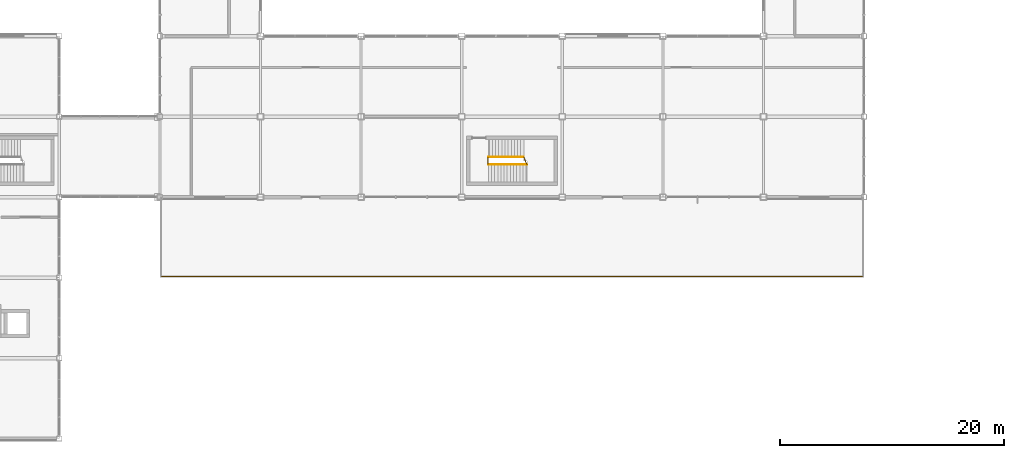
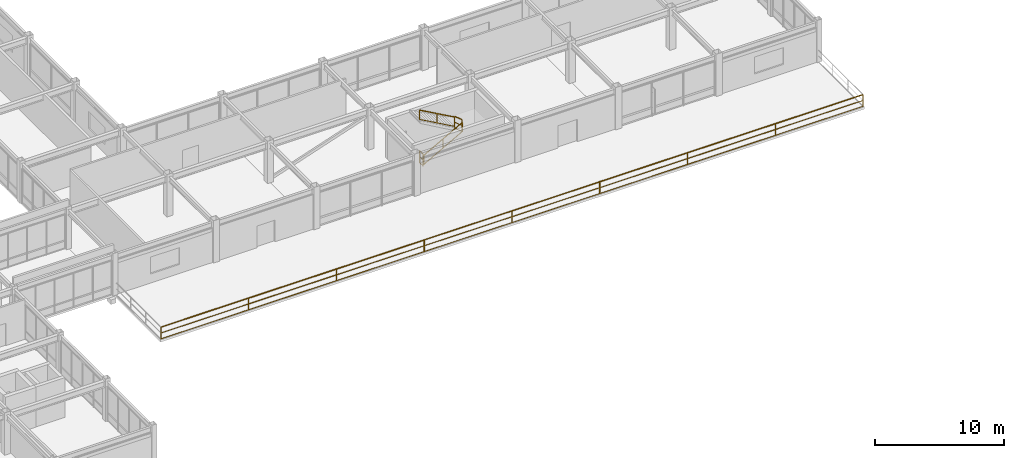
# One storey, part 117 of 122: 5 railings.
"""IFC4 building model written with IfcOpenShell, lengths in metres."""

from ifc_helpers import new_model, si_unit, direction, frame, origin, origin_2d, place, context, subcontext, project, spatial, rectangle, extrude, material, type_object, element, save


model = new_model("IFC4")

# Units and contexts
model_context = context("Model", 3, precision=1e-05, world=origin(), true_north=direction((0.0, 1.0)))
body_context = subcontext(model_context, "Body", "Model", "MODEL_VIEW")
ifc_project = project(units=[si_unit("LENGTHUNIT", "METRE"), si_unit("AREAUNIT", "SQUARE_METRE"), si_unit("VOLUMEUNIT", "CUBIC_METRE"), si_unit("PLANEANGLEUNIT", "RADIAN"), si_unit("MASSUNIT", "GRAM", prefix="KILO")], contexts=[model_context])

# Site, building, storey
site_placement = place(None, origin())
site = spatial("IfcSite", under=ifc_project, at=site_placement, CompositionType="ELEMENT")
building_placement = place(site_placement, origin())
building = spatial("IfcBuilding", under=site, at=building_placement, Name="Kazanami Central Library", CompositionType="ELEMENT")
storey_placement = place(building_placement, frame((0.0, 0.0, 4.800048828125)))
storey = spatial("IfcBuildingStorey", under=building, at=storey_placement, Name="L02", CompositionType="ELEMENT", Elevation=4.800048828125)

# Railings
ifc_material = material(Name="Stainless Steel SUS304", Category="steel")
railing_type_1 = type_object("IfcRailingType", Name="RAL-GR-S1", PredefinedType="GUARDRAIL", material=ifc_material)
railing_1_placement = place(storey_placement, frame((74.360107421875, 24.570068359375, 0.0)))
element("IfcRailing", 1, at=railing_1_placement, inside=storey, type_object=railing_type_1, Name="Stair Well Guard ST-09 L02", PredefinedType="GUARDRAIL", context=body_context, shape_type="SweptSolid", body=[
    extrude(rectangle(XDim=0.0439453125, YDim=0.0439453125, at=origin_2d()), frame((0.0, 0.02587890625, 1.1279296875), z_axis=(0.0, 1.0, 0.0), x_axis=(-1.0, 0.0, 0.0)), (0.0, 0.0, 1.0), 0.5078125),
    extrude(rectangle(XDim=0.02392578125, YDim=0.02392578125, at=origin_2d()), frame((0.0, 0.02587890625, 0.015869140625), z_axis=(0.0, 1.0, 0.0), x_axis=(-1.0, 0.0, 0.0)), (0.0, 0.0, 1.0), 0.5078125),
    extrude(rectangle(XDim=0.02392578125, YDim=0.02392578125, at=origin_2d()), frame((0.0, 0.02587890625, 0.574951171875), z_axis=(0.0, 1.0, 0.0), x_axis=(-1.0, 0.0, 0.0)), (0.0, 0.0, 1.0), 0.5078125),
    extrude(rectangle(XDim=0.035888671875, YDim=0.035888671875, at=origin_2d()), origin(), (0.0, 0.0, 1.0), 1.10205078125),
    extrude(rectangle(XDim=0.035888671875, YDim=0.035888671875, at=origin_2d()), frame((0.0, 0.559814453125, 0.0)), (0.0, 0.0, 1.0), 1.10205078125),
])
railing_2_placement = place(storey_placement, frame((77.827880859375, 24.52001953125, 2.079833984375)))
element("IfcRailing", 2, at=railing_2_placement, inside=storey, type_object=railing_type_1, Name="Half-Landing Well Guard ST-09 L02", PredefinedType="GUARDRAIL", context=body_context, shape_type="SweptSolid", body=[
    extrude(rectangle(XDim=0.0439453125, YDim=0.0439453125, at=origin_2d()), frame((-0.01025390625, 0.02392578125, 1.1279296875), z_axis=(-0.390339903858, 0.920670820357, 0.0), x_axis=(-0.920670820357, -0.390339903858, 0.0)), (0.0, 0.0, 1.0), 0.664794921875),
    extrude(rectangle(XDim=0.02392578125, YDim=0.02392578125, at=origin_2d()), frame((-0.01025390625, 0.02392578125, 0.015869140625), z_axis=(-0.390339903858, 0.920670820357, 0.0), x_axis=(-0.920670820357, -0.390339903858, 0.0)), (0.0, 0.0, 1.0), 0.664794921875),
    extrude(rectangle(XDim=0.02392578125, YDim=0.02392578125, at=origin_2d()), frame((-0.01025390625, 0.02392578125, 0.574951171875), z_axis=(-0.390339903858, 0.920670820357, 0.0), x_axis=(-0.920670820357, -0.390339903858, 0.0)), (0.0, 0.0, 1.0), 0.664794921875),
    extrude(rectangle(XDim=0.035888671875, YDim=0.035888671875, at=origin_2d()), origin(), (0.0, 0.0, 1.0), 1.10205078125),
    extrude(rectangle(XDim=0.035888671875, YDim=0.035888671875, at=origin_2d()), frame((-0.27978515625, 0.659912109375, 0.0)), (0.0, 0.0, 1.0), 1.10205078125),
])
railing_type_2 = type_object("IfcRailingType", Name="RAL-GR-T1", PredefinedType="GUARDRAIL", material=ifc_material)
railing_3_placement = place(storey_placement, frame((45.080078125, 14.47998046875, 0.0)))
element("IfcRailing", 3, at=railing_3_placement, inside=storey, type_object=railing_type_2, Name="Terrace Perimeter Guard Waterfront Colonnade Reading Terrace L02 (South)", PredefinedType="GUARDRAIL", context=body_context, shape_type="SweptSolid", body=[
    extrude(rectangle(XDim=0.0439453125, YDim=0.0439453125, at=origin_2d()), frame((0.02587890625, 0.0, 1.1279296875), z_axis=(1.0, 0.0, 0.0), x_axis=(0.0, 1.0, 0.0)), (0.0, 0.0, 1.0), 62.787841796875),
    extrude(rectangle(XDim=0.02392578125, YDim=0.02392578125, at=origin_2d()), frame((0.02587890625, 0.0, 0.015869140625), z_axis=(1.0, 0.0, 0.0), x_axis=(0.0, 1.0, 0.0)), (0.0, 0.0, 1.0), 62.787841796875),
    extrude(rectangle(XDim=0.02392578125, YDim=0.02392578125, at=origin_2d()), frame((0.02587890625, 0.0, 0.574951171875), z_axis=(1.0, 0.0, 0.0), x_axis=(0.0, 1.0, 0.0)), (0.0, 0.0, 1.0), 62.787841796875),
    extrude(rectangle(XDim=0.035888671875, YDim=0.035888671875, at=origin_2d()), origin(), (0.0, 0.0, 1.0), 1.10205078125),
    extrude(rectangle(XDim=0.035888671875, YDim=0.035888671875, at=origin_2d()), frame((7.85498046875, 0.0, 0.0)), (0.0, 0.0, 1.0), 1.10205078125),
    extrude(rectangle(XDim=0.035888671875, YDim=0.035888671875, at=origin_2d()), frame((15.7099609375, 0.0, 0.0)), (0.0, 0.0, 1.0), 1.10205078125),
    extrude(rectangle(XDim=0.035888671875, YDim=0.035888671875, at=origin_2d()), frame((23.56494140625, 0.0, 0.0)), (0.0, 0.0, 1.0), 1.10205078125),
    extrude(rectangle(XDim=0.035888671875, YDim=0.035888671875, at=origin_2d()), frame((31.419921875, 0.0, 0.0)), (0.0, 0.0, 1.0), 1.10205078125),
    extrude(rectangle(XDim=0.035888671875, YDim=0.035888671875, at=origin_2d()), frame((39.27490234375, 0.0, 0.0)), (0.0, 0.0, 1.0), 1.10205078125),
    extrude(rectangle(XDim=0.035888671875, YDim=0.035888671875, at=origin_2d()), frame((47.1298828125, 0.0, 0.0)), (0.0, 0.0, 1.0), 1.10205078125),
    extrude(rectangle(XDim=0.035888671875, YDim=0.035888671875, at=origin_2d()), frame((54.98486328125, 0.0, 0.0)), (0.0, 0.0, 1.0), 1.10205078125),
    extrude(rectangle(XDim=0.035888671875, YDim=0.035888671875, at=origin_2d()), frame((62.83984375, 0.0, 0.0)), (0.0, 0.0, 1.0), 1.10205078125),
])
railing_type_3 = type_object("IfcRailingType", Name="RAL-HR-01", PredefinedType="HANDRAIL", material=ifc_material)
railing_4_placement = place(storey_placement, frame((74.39404296875, 24.5, 0.159912109375)))
element("IfcRailing", 4, at=railing_4_placement, inside=storey, type_object=railing_type_3, Name="Stair Handrail ST-09 Flight 1 (L02)", PredefinedType="HANDRAIL", context=body_context, shape_type="SweptSolid", body=[
    extrude(rectangle(XDim=0.0439453125, YDim=0.0439453125, at=origin_2d()), frame((0.022705078125, 0.0, 0.890625), z_axis=(0.872833868075, 0.0, 0.488017457415), x_axis=(0.0, 1.0, 0.0)), (0.0, 0.0, 1.0), 3.882080078125),
    extrude(rectangle(XDim=0.02392578125, YDim=0.02392578125, at=origin_2d()), frame((0.022705078125, 0.0, 0.028564453125), z_axis=(0.872833868075, 0.0, 0.488017457415), x_axis=(0.0, 1.0, 0.0)), (0.0, 0.0, 1.0), 3.882080078125),
    extrude(rectangle(XDim=0.035888671875, YDim=0.035888671875, at=origin_2d()), origin(), (0.0, 0.0, 1.0), 0.85205078125),
    extrude(rectangle(XDim=0.035888671875, YDim=0.035888671875, at=origin_2d()), frame((1.716796875, 0.0, 0.9599609375)), (0.0, 0.0, 1.0), 0.85205078125),
    extrude(rectangle(XDim=0.035888671875, YDim=0.035888671875, at=origin_2d()), frame((3.433837890625, 0.0, 1.919921875)), (0.0, 0.0, 1.0), 0.85205078125),
])
railing_type_4 = type_object("IfcRailingType", Name="RAL-HR-02", PredefinedType="HANDRAIL", material=ifc_material)
railing_5_placement = place(storey_placement, frame((77.553955078125, 25.199951171875, 2.239990234375)))
element("IfcRailing", 5, at=railing_5_placement, inside=storey, type_object=railing_type_4, Name="Stair Handrail ST-09 Flight 2 (L02)", PredefinedType="HANDRAIL", context=body_context, shape_type="SweptSolid", body=[
    extrude(rectangle(XDim=0.0439453125, YDim=0.0439453125, at=origin_2d()), frame((-0.022705078125, 0.0, 0.91064453125), z_axis=(-0.873243856975, 0.0, 0.487283455758), x_axis=(0.0, -1.0, 0.0)), (0.0, 0.0, 1.0), 3.559814453125),
    extrude(rectangle(XDim=0.02392578125, YDim=0.02392578125, at=origin_2d()), frame((-0.022705078125, 0.0, 0.028564453125), z_axis=(-0.873243856975, 0.0, 0.487283455758), x_axis=(0.0, -1.0, 0.0)), (0.0, 0.0, 1.0), 3.559814453125),
    extrude(rectangle(XDim=0.035888671875, YDim=0.035888671875, at=origin_2d()), origin(), (0.0, 0.0, 1.0), 0.8720703125),
    extrude(rectangle(XDim=0.035888671875, YDim=0.035888671875, at=origin_2d()), frame((-1.5771484375, 0.0, 0.8798828125)), (0.0, 0.0, 1.0), 0.8720703125),
    extrude(rectangle(XDim=0.035888671875, YDim=0.035888671875, at=origin_2d()), frame((-3.154052734375, 0.0, 1.760009765625)), (0.0, 0.0, 1.0), 0.8720703125),
])

save(model, "model.ifc")
